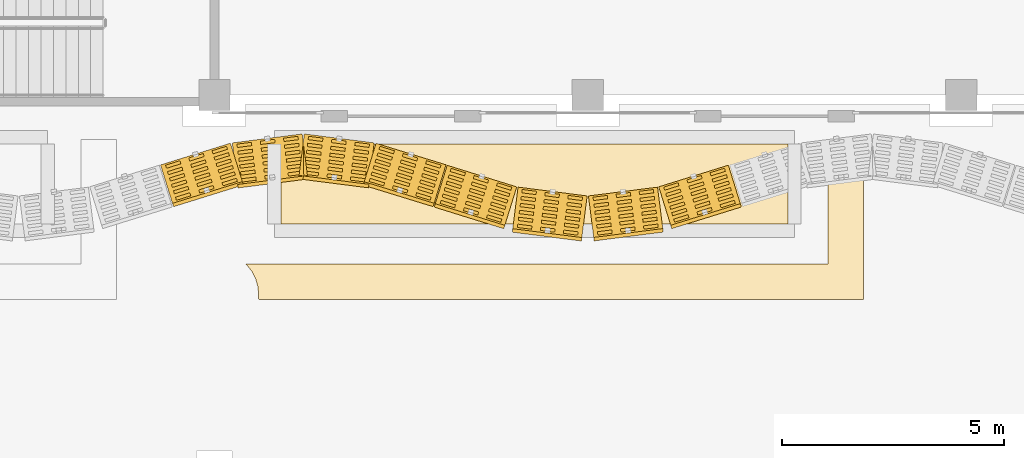
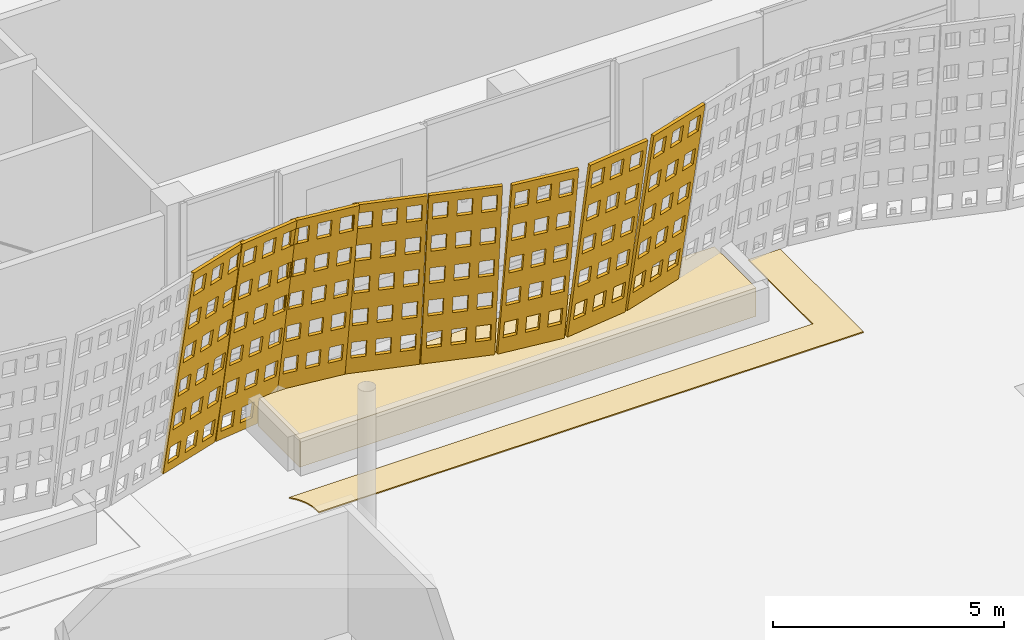
# One storey, part 184 of 210: 10 coverings.
"""IFC4 building model written with IfcOpenShell, lengths in metres."""

from ifc_helpers import new_model, si_unit, direction, frame, origin, origin_2d, place, context, subcontext, project, spatial, polyline, rectangle, outline, extrude, material, layer, layer_set, type_object, element, save


model = new_model("IFC4")

# Units and contexts
model_context = context("Model", 3, precision=1e-05, world=origin(), true_north=direction((0.0, 1.0)))
body_context = subcontext(model_context, "Body", "Model", "MODEL_VIEW")
ifc_project = project(units=[si_unit("LENGTHUNIT", "METRE"), si_unit("AREAUNIT", "SQUARE_METRE"), si_unit("VOLUMEUNIT", "CUBIC_METRE"), si_unit("PLANEANGLEUNIT", "RADIAN"), si_unit("MASSUNIT", "GRAM", prefix="KILO")], contexts=[model_context])

# Site, building, storey
site_placement = place(None, origin())
site = spatial("IfcSite", under=ifc_project, at=site_placement, CompositionType="ELEMENT")
building_placement = place(site_placement, origin())
building = spatial("IfcBuilding", under=site, at=building_placement, Name="Rain Tree Exposition and Congress Centre", CompositionType="ELEMENT")
storey_placement = place(building_placement, origin())
storey = spatial("IfcBuildingStorey", under=building, at=storey_placement, Name="L00", CompositionType="ELEMENT", Elevation=0.0)

# Coverings
ifc_material_1 = material(Name="Granite paving", Category="masonry")
ifc_layer_1 = layer(ifc_material_1, 0.030029296875)
ifc_layer_set_1 = layer_set([ifc_layer_1], Name="Granite paving")
covering_type_1 = type_object("IfcCoveringType", Name="Granite paving inlay 30", PredefinedType="FLOORING", material=ifc_layer_set_1)
covering_1_placement = place(storey_placement, origin())
element("IfcCovering", 1, at=covering_1_placement, inside=storey, type_object=covering_type_1, Name="Granite paving inlay 28", PredefinedType="FLOORING", context=body_context, shape_type="SweptSolid", body=[
    extrude(outline(polyline([(139.800048828125, 71.800048828125), (126.71337890625, 71.800048828125), (126.842041015625, 71.638916015625), (126.930908203125, 71.46435546875), (126.984130859375, 71.275634765625), (127.0, 71.0), (140.60009765625, 71.0), (140.60009765625, 74.60009765625), (139.800048828125, 74.60009765625), (139.800048828125, 71.800048828125)])), origin(), (0.0, 0.0, 1.0), 0.030029296875),
])
ifc_material_2 = material(Name="Planting substrate", Category="soil")
ifc_layer_2 = layer(ifc_material_2, 0.75)
ifc_layer_set_2 = layer_set([ifc_layer_2], Name="Planting substrate")
covering_type_2 = type_object("IfcCoveringType", Name="Planting bed substrate 750", PredefinedType="FLOORING", material=ifc_layer_set_2)
covering_2_placement = place(storey_placement, frame((133.199951171875, 73.60009765625, 0.0), z_axis=(0.0, 0.0, 1.0), x_axis=(1.0, 0.0, 0.0)))
element("IfcCovering", 2, at=covering_2_placement, inside=storey, type_object=covering_type_2, Name="Planting bed", PredefinedType="FLOORING", context=body_context, shape_type="SweptSolid", body=[
    extrude(rectangle(XDim=11.39990234375, YDim=1.800048828125, at=origin_2d()), origin(), (0.0, 0.0, 1.0), 0.75),
])
ifc_material_3 = material(Name="Perforated terracotta", Category="masonry")
ifc_layer_3 = layer(ifc_material_3, 0.080078125)
ifc_layer_set_3 = layer_set([ifc_layer_3], Name="Perforated terracotta")
covering_type_3 = type_object("IfcCoveringType", Name="Terracotta screen 80", PredefinedType="CLADDING", material=ifc_layer_set_3)
covering_3_placement = place(storey_placement, frame((124.800048828125, 73.949951171875, 0.0), z_axis=(-0.293072736571, 0.943327870838, 0.155694891303), x_axis=(-0.954973588716, -0.296690823679, 0.0)))
element("IfcCovering", 3, at=covering_3_placement, inside=storey, type_object=covering_type_3, Name="concourse/screen/L00/079", PredefinedType="CLADDING", context=body_context, shape_type="SweptSolid", body=[
    extrude(outline(polyline([(-0.014892578125, 0.0), (-1.659912109375, 0.0), (-1.659912109375, 5.80859375), (-0.014892578125, 5.80859375), (-0.014892578125, 0.0)]), holes=[polyline([(-0.119140625, 0.249755859375), (-0.119140625, 0.71826171875), (-0.458984375, 0.71826171875), (-0.458984375, 0.249755859375), (-0.119140625, 0.249755859375)]), polyline([(-0.119140625, 1.218017578125), (-0.119140625, 1.686279296875), (-0.458984375, 1.686279296875), (-0.458984375, 1.218017578125), (-0.119140625, 1.218017578125)]), polyline([(-0.119140625, 2.18603515625), (-0.119140625, 2.654541015625), (-0.458984375, 2.654541015625), (-0.458984375, 2.18603515625), (-0.119140625, 2.18603515625)]), polyline([(-0.119140625, 3.154052734375), (-0.119140625, 3.62255859375), (-0.458984375, 3.62255859375), (-0.458984375, 3.154052734375), (-0.119140625, 3.154052734375)]), polyline([(-0.119140625, 4.122314453125), (-0.119140625, 4.5908203125), (-0.458984375, 4.5908203125), (-0.458984375, 4.122314453125), (-0.119140625, 4.122314453125)]), polyline([(-0.119140625, 5.09033203125), (-0.119140625, 5.558837890625), (-0.458984375, 5.558837890625), (-0.458984375, 5.09033203125), (-0.119140625, 5.09033203125)]), polyline([(-0.66748046875, 0.249755859375), (-0.66748046875, 0.71826171875), (-1.00732421875, 0.71826171875), (-1.00732421875, 0.249755859375), (-0.66748046875, 0.249755859375)]), polyline([(-0.66748046875, 1.218017578125), (-0.66748046875, 1.686279296875), (-1.00732421875, 1.686279296875), (-1.00732421875, 1.218017578125), (-0.66748046875, 1.218017578125)]), polyline([(-0.66748046875, 2.18603515625), (-0.66748046875, 2.654541015625), (-1.00732421875, 2.654541015625), (-1.00732421875, 2.18603515625), (-0.66748046875, 2.18603515625)]), polyline([(-0.66748046875, 3.154052734375), (-0.66748046875, 3.62255859375), (-1.00732421875, 3.62255859375), (-1.00732421875, 3.154052734375), (-0.66748046875, 3.154052734375)]), polyline([(-0.66748046875, 4.122314453125), (-0.66748046875, 4.5908203125), (-1.00732421875, 4.5908203125), (-1.00732421875, 4.122314453125), (-0.66748046875, 4.122314453125)]), polyline([(-0.66748046875, 5.09033203125), (-0.66748046875, 5.558837890625), (-1.00732421875, 5.558837890625), (-1.00732421875, 5.09033203125), (-0.66748046875, 5.09033203125)]), polyline([(-1.2158203125, 0.249755859375), (-1.2158203125, 0.71826171875), (-1.5556640625, 0.71826171875), (-1.5556640625, 0.249755859375), (-1.2158203125, 0.249755859375)]), polyline([(-1.2158203125, 1.218017578125), (-1.2158203125, 1.686279296875), (-1.5556640625, 1.686279296875), (-1.5556640625, 1.218017578125), (-1.2158203125, 1.218017578125)]), polyline([(-1.2158203125, 2.18603515625), (-1.2158203125, 2.654541015625), (-1.5556640625, 2.654541015625), (-1.5556640625, 2.18603515625), (-1.2158203125, 2.18603515625)]), polyline([(-1.2158203125, 3.154052734375), (-1.2158203125, 3.62255859375), (-1.5556640625, 3.62255859375), (-1.5556640625, 3.154052734375), (-1.2158203125, 3.154052734375)]), polyline([(-1.2158203125, 4.122314453125), (-1.2158203125, 4.5908203125), (-1.5556640625, 4.5908203125), (-1.5556640625, 4.122314453125), (-1.2158203125, 4.122314453125)]), polyline([(-1.2158203125, 5.09033203125), (-1.2158203125, 5.558837890625), (-1.5556640625, 5.558837890625), (-1.5556640625, 5.09033203125), (-1.2158203125, 5.09033203125)])]), origin(), (0.0, 0.0, 1.0), 0.080078125),
])
covering_4_placement = place(storey_placement, frame((126.39990234375, 74.445068359375, 0.0), z_axis=(-0.125405134464, 0.978771781185, 0.162109076259), x_axis=(-0.991891686382, -0.127086122318, 0.0)))
element("IfcCovering", 4, at=covering_4_placement, inside=storey, type_object=covering_type_3, Name="concourse/screen/L00/080", PredefinedType="CLADDING", context=body_context, shape_type="SweptSolid", body=[
    extrude(outline(polyline([(-0.014892578125, 0.0), (-1.59814453125, 0.0), (-1.59814453125, 5.813720703125), (-0.014892578125, 5.813720703125), (-0.014892578125, 0.0)]), holes=[polyline([(-0.115234375, 0.25), (-0.115234375, 0.718994140625), (-0.4423828125, 0.718994140625), (-0.4423828125, 0.25), (-0.115234375, 0.25)]), polyline([(-0.115234375, 1.218994140625), (-0.115234375, 1.687744140625), (-0.4423828125, 1.687744140625), (-0.4423828125, 1.218994140625), (-0.115234375, 1.218994140625)]), polyline([(-0.115234375, 2.18798828125), (-0.115234375, 2.65673828125), (-0.4423828125, 2.65673828125), (-0.4423828125, 2.18798828125), (-0.115234375, 2.18798828125)]), polyline([(-0.115234375, 3.156982421875), (-0.115234375, 3.625732421875), (-0.4423828125, 3.625732421875), (-0.4423828125, 3.156982421875), (-0.115234375, 3.156982421875)]), polyline([(-0.115234375, 4.125732421875), (-0.115234375, 4.594482421875), (-0.4423828125, 4.594482421875), (-0.4423828125, 4.125732421875), (-0.115234375, 4.125732421875)]), polyline([(-0.115234375, 5.0947265625), (-0.115234375, 5.563720703125), (-0.4423828125, 5.563720703125), (-0.4423828125, 5.0947265625), (-0.115234375, 5.0947265625)]), polyline([(-0.64306640625, 0.25), (-0.64306640625, 0.718994140625), (-0.97021484375, 0.718994140625), (-0.97021484375, 0.25), (-0.64306640625, 0.25)]), polyline([(-0.64306640625, 1.218994140625), (-0.64306640625, 1.687744140625), (-0.97021484375, 1.687744140625), (-0.97021484375, 1.218994140625), (-0.64306640625, 1.218994140625)]), polyline([(-0.64306640625, 2.18798828125), (-0.64306640625, 2.65673828125), (-0.97021484375, 2.65673828125), (-0.97021484375, 2.18798828125), (-0.64306640625, 2.18798828125)]), polyline([(-0.64306640625, 3.156982421875), (-0.64306640625, 3.625732421875), (-0.97021484375, 3.625732421875), (-0.97021484375, 3.156982421875), (-0.64306640625, 3.156982421875)]), polyline([(-0.64306640625, 4.125732421875), (-0.64306640625, 4.594482421875), (-0.97021484375, 4.594482421875), (-0.97021484375, 4.125732421875), (-0.64306640625, 4.125732421875)]), polyline([(-0.64306640625, 5.0947265625), (-0.64306640625, 5.563720703125), (-0.97021484375, 5.563720703125), (-0.97021484375, 5.0947265625), (-0.64306640625, 5.0947265625)]), polyline([(-1.170654296875, 0.25), (-1.170654296875, 0.718994140625), (-1.497802734375, 0.718994140625), (-1.497802734375, 0.25), (-1.170654296875, 0.25)]), polyline([(-1.170654296875, 1.218994140625), (-1.170654296875, 1.687744140625), (-1.497802734375, 1.687744140625), (-1.497802734375, 1.218994140625), (-1.170654296875, 1.218994140625)]), polyline([(-1.170654296875, 2.18798828125), (-1.170654296875, 2.65673828125), (-1.497802734375, 2.65673828125), (-1.497802734375, 2.18798828125), (-1.170654296875, 2.18798828125)]), polyline([(-1.170654296875, 3.156982421875), (-1.170654296875, 3.625732421875), (-1.497802734375, 3.625732421875), (-1.497802734375, 3.156982421875), (-1.170654296875, 3.156982421875)]), polyline([(-1.170654296875, 4.125732421875), (-1.170654296875, 4.594482421875), (-1.497802734375, 4.594482421875), (-1.497802734375, 4.125732421875), (-1.170654296875, 4.125732421875)]), polyline([(-1.170654296875, 5.0947265625), (-1.170654296875, 5.563720703125), (-1.497802734375, 5.563720703125), (-1.497802734375, 5.0947265625), (-1.170654296875, 5.0947265625)])]), origin(), (0.0, 0.0, 1.0), 0.079833984375),
])
covering_5_placement = place(storey_placement, frame((128.0, 74.64990234375, 0.0), z_axis=(0.125030801275, 0.978899688033, 0.161625182136), x_axis=(-0.991941518713, 0.126696580272, 0.0)))
element("IfcCovering", 5, at=covering_5_placement, inside=storey, type_object=covering_type_3, Name="concourse/screen/L00/081", PredefinedType="CLADDING", context=body_context, shape_type="SweptSolid", body=[
    extrude(outline(polyline([(-0.014892578125, 0.0), (-1.59814453125, 0.0), (-1.59814453125, 5.813720703125), (-0.014892578125, 5.813720703125), (-0.014892578125, 0.0)]), holes=[polyline([(-0.115234375, 0.25), (-0.115234375, 0.718994140625), (-0.4423828125, 0.718994140625), (-0.4423828125, 0.25), (-0.115234375, 0.25)]), polyline([(-0.115234375, 1.218994140625), (-0.115234375, 1.687744140625), (-0.4423828125, 1.687744140625), (-0.4423828125, 1.218994140625), (-0.115234375, 1.218994140625)]), polyline([(-0.115234375, 2.18798828125), (-0.115234375, 2.65673828125), (-0.4423828125, 2.65673828125), (-0.4423828125, 2.18798828125), (-0.115234375, 2.18798828125)]), polyline([(-0.115234375, 3.156982421875), (-0.115234375, 3.625732421875), (-0.4423828125, 3.625732421875), (-0.4423828125, 3.156982421875), (-0.115234375, 3.156982421875)]), polyline([(-0.115234375, 4.125732421875), (-0.115234375, 4.594482421875), (-0.4423828125, 4.594482421875), (-0.4423828125, 4.125732421875), (-0.115234375, 4.125732421875)]), polyline([(-0.115234375, 5.0947265625), (-0.115234375, 5.563720703125), (-0.4423828125, 5.563720703125), (-0.4423828125, 5.0947265625), (-0.115234375, 5.0947265625)]), polyline([(-0.64306640625, 0.25), (-0.64306640625, 0.718994140625), (-0.97021484375, 0.718994140625), (-0.97021484375, 0.25), (-0.64306640625, 0.25)]), polyline([(-0.64306640625, 1.218994140625), (-0.64306640625, 1.687744140625), (-0.97021484375, 1.687744140625), (-0.97021484375, 1.218994140625), (-0.64306640625, 1.218994140625)]), polyline([(-0.64306640625, 2.18798828125), (-0.64306640625, 2.65673828125), (-0.97021484375, 2.65673828125), (-0.97021484375, 2.18798828125), (-0.64306640625, 2.18798828125)]), polyline([(-0.64306640625, 3.156982421875), (-0.64306640625, 3.625732421875), (-0.97021484375, 3.625732421875), (-0.97021484375, 3.156982421875), (-0.64306640625, 3.156982421875)]), polyline([(-0.64306640625, 4.125732421875), (-0.64306640625, 4.594482421875), (-0.97021484375, 4.594482421875), (-0.97021484375, 4.125732421875), (-0.64306640625, 4.125732421875)]), polyline([(-0.64306640625, 5.0947265625), (-0.64306640625, 5.563720703125), (-0.97021484375, 5.563720703125), (-0.97021484375, 5.0947265625), (-0.64306640625, 5.0947265625)]), polyline([(-1.170654296875, 0.25), (-1.170654296875, 0.718994140625), (-1.497802734375, 0.718994140625), (-1.497802734375, 0.25), (-1.170654296875, 0.25)]), polyline([(-1.170654296875, 1.218994140625), (-1.170654296875, 1.687744140625), (-1.497802734375, 1.687744140625), (-1.497802734375, 1.218994140625), (-1.170654296875, 1.218994140625)]), polyline([(-1.170654296875, 2.18798828125), (-1.170654296875, 2.65673828125), (-1.497802734375, 2.65673828125), (-1.497802734375, 2.18798828125), (-1.170654296875, 2.18798828125)]), polyline([(-1.170654296875, 3.156982421875), (-1.170654296875, 3.625732421875), (-1.497802734375, 3.625732421875), (-1.497802734375, 3.156982421875), (-1.170654296875, 3.156982421875)]), polyline([(-1.170654296875, 4.125732421875), (-1.170654296875, 4.594482421875), (-1.497802734375, 4.594482421875), (-1.497802734375, 4.125732421875), (-1.170654296875, 4.125732421875)]), polyline([(-1.170654296875, 5.0947265625), (-1.170654296875, 5.563720703125), (-1.497802734375, 5.563720703125), (-1.497802734375, 5.0947265625), (-1.170654296875, 5.0947265625)])]), origin(), (0.0, 0.0, 1.0), 0.080078125),
])
covering_6_placement = place(storey_placement, frame((129.60009765625, 74.445068359375, 0.0), z_axis=(0.290278371326, 0.94416859726, 0.155833651975), x_axis=(-0.955845867297, 0.293868470528, 0.0)))
element("IfcCovering", 6, at=covering_6_placement, inside=storey, type_object=covering_type_3, Name="concourse/screen/L00/082", PredefinedType="CLADDING", context=body_context, shape_type="SweptSolid", body=[
    extrude(outline(polyline([(-0.014892578125, 0.0), (-1.659912109375, 0.0), (-1.659912109375, 5.80859375), (-0.014892578125, 5.80859375), (-0.014892578125, 0.0)]), holes=[polyline([(-0.119140625, 0.249755859375), (-0.119140625, 0.71826171875), (-0.458984375, 0.71826171875), (-0.458984375, 0.249755859375), (-0.119140625, 0.249755859375)]), polyline([(-0.119140625, 1.218017578125), (-0.119140625, 1.686279296875), (-0.458984375, 1.686279296875), (-0.458984375, 1.218017578125), (-0.119140625, 1.218017578125)]), polyline([(-0.119140625, 2.18603515625), (-0.119140625, 2.654541015625), (-0.458984375, 2.654541015625), (-0.458984375, 2.18603515625), (-0.119140625, 2.18603515625)]), polyline([(-0.119140625, 3.154052734375), (-0.119140625, 3.62255859375), (-0.458984375, 3.62255859375), (-0.458984375, 3.154052734375), (-0.119140625, 3.154052734375)]), polyline([(-0.119140625, 4.122314453125), (-0.119140625, 4.5908203125), (-0.458984375, 4.5908203125), (-0.458984375, 4.122314453125), (-0.119140625, 4.122314453125)]), polyline([(-0.119140625, 5.09033203125), (-0.119140625, 5.558837890625), (-0.458984375, 5.558837890625), (-0.458984375, 5.09033203125), (-0.119140625, 5.09033203125)]), polyline([(-0.66748046875, 0.249755859375), (-0.66748046875, 0.71826171875), (-1.00732421875, 0.71826171875), (-1.00732421875, 0.249755859375), (-0.66748046875, 0.249755859375)]), polyline([(-0.66748046875, 1.218017578125), (-0.66748046875, 1.686279296875), (-1.00732421875, 1.686279296875), (-1.00732421875, 1.218017578125), (-0.66748046875, 1.218017578125)]), polyline([(-0.66748046875, 2.18603515625), (-0.66748046875, 2.654541015625), (-1.00732421875, 2.654541015625), (-1.00732421875, 2.18603515625), (-0.66748046875, 2.18603515625)]), polyline([(-0.66748046875, 3.154052734375), (-0.66748046875, 3.62255859375), (-1.00732421875, 3.62255859375), (-1.00732421875, 3.154052734375), (-0.66748046875, 3.154052734375)]), polyline([(-0.66748046875, 4.122314453125), (-0.66748046875, 4.5908203125), (-1.00732421875, 4.5908203125), (-1.00732421875, 4.122314453125), (-0.66748046875, 4.122314453125)]), polyline([(-0.66748046875, 5.09033203125), (-0.66748046875, 5.558837890625), (-1.00732421875, 5.558837890625), (-1.00732421875, 5.09033203125), (-0.66748046875, 5.09033203125)]), polyline([(-1.2158203125, 0.249755859375), (-1.2158203125, 0.71826171875), (-1.5556640625, 0.71826171875), (-1.5556640625, 0.249755859375), (-1.2158203125, 0.249755859375)]), polyline([(-1.2158203125, 1.218017578125), (-1.2158203125, 1.686279296875), (-1.5556640625, 1.686279296875), (-1.5556640625, 1.218017578125), (-1.2158203125, 1.218017578125)]), polyline([(-1.2158203125, 2.18603515625), (-1.2158203125, 2.654541015625), (-1.5556640625, 2.654541015625), (-1.5556640625, 2.18603515625), (-1.2158203125, 2.18603515625)]), polyline([(-1.2158203125, 3.154052734375), (-1.2158203125, 3.62255859375), (-1.5556640625, 3.62255859375), (-1.5556640625, 3.154052734375), (-1.2158203125, 3.154052734375)]), polyline([(-1.2158203125, 4.122314453125), (-1.2158203125, 4.5908203125), (-1.5556640625, 4.5908203125), (-1.5556640625, 4.122314453125), (-1.2158203125, 4.122314453125)]), polyline([(-1.2158203125, 5.09033203125), (-1.2158203125, 5.558837890625), (-1.5556640625, 5.558837890625), (-1.5556640625, 5.09033203125), (-1.2158203125, 5.09033203125)])]), origin(), (0.0, 0.0, 1.0), 0.079833984375),
])
covering_7_placement = place(storey_placement, frame((131.199951171875, 73.949951171875, 0.0), z_axis=(0.293072736571, 0.943327870838, 0.155694891303), x_axis=(-0.954973588716, 0.296690823679, 0.0)))
element("IfcCovering", 7, at=covering_7_placement, inside=storey, type_object=covering_type_3, Name="concourse/screen/L00/083", PredefinedType="CLADDING", context=body_context, shape_type="SweptSolid", body=[
    extrude(outline(polyline([(-0.014892578125, 0.0), (-1.65283203125, 0.0), (-1.65283203125, 5.80859375), (-0.014892578125, 5.80859375), (-0.014892578125, 0.0)]), holes=[polyline([(-0.11865234375, 0.249755859375), (-0.11865234375, 0.71826171875), (-0.457275390625, 0.71826171875), (-0.457275390625, 0.249755859375), (-0.11865234375, 0.249755859375)]), polyline([(-0.11865234375, 1.218017578125), (-0.11865234375, 1.686279296875), (-0.457275390625, 1.686279296875), (-0.457275390625, 1.218017578125), (-0.11865234375, 1.218017578125)]), polyline([(-0.11865234375, 2.18603515625), (-0.11865234375, 2.654541015625), (-0.457275390625, 2.654541015625), (-0.457275390625, 2.18603515625), (-0.11865234375, 2.18603515625)]), polyline([(-0.11865234375, 3.154052734375), (-0.11865234375, 3.62255859375), (-0.457275390625, 3.62255859375), (-0.457275390625, 3.154052734375), (-0.11865234375, 3.154052734375)]), polyline([(-0.11865234375, 4.122314453125), (-0.11865234375, 4.5908203125), (-0.457275390625, 4.5908203125), (-0.457275390625, 4.122314453125), (-0.11865234375, 4.122314453125)]), polyline([(-0.11865234375, 5.09033203125), (-0.11865234375, 5.558837890625), (-0.457275390625, 5.558837890625), (-0.457275390625, 5.09033203125), (-0.11865234375, 5.09033203125)]), polyline([(-0.664794921875, 0.249755859375), (-0.664794921875, 0.71826171875), (-1.003173828125, 0.71826171875), (-1.003173828125, 0.249755859375), (-0.664794921875, 0.249755859375)]), polyline([(-0.664794921875, 1.218017578125), (-0.664794921875, 1.686279296875), (-1.003173828125, 1.686279296875), (-1.003173828125, 1.218017578125), (-0.664794921875, 1.218017578125)]), polyline([(-0.664794921875, 2.18603515625), (-0.664794921875, 2.654541015625), (-1.003173828125, 2.654541015625), (-1.003173828125, 2.18603515625), (-0.664794921875, 2.18603515625)]), polyline([(-0.664794921875, 3.154052734375), (-0.664794921875, 3.62255859375), (-1.003173828125, 3.62255859375), (-1.003173828125, 3.154052734375), (-0.664794921875, 3.154052734375)]), polyline([(-0.664794921875, 4.122314453125), (-0.664794921875, 4.5908203125), (-1.003173828125, 4.5908203125), (-1.003173828125, 4.122314453125), (-0.664794921875, 4.122314453125)]), polyline([(-0.664794921875, 5.09033203125), (-0.664794921875, 5.558837890625), (-1.003173828125, 5.558837890625), (-1.003173828125, 5.09033203125), (-0.664794921875, 5.09033203125)]), polyline([(-1.210693359375, 0.249755859375), (-1.210693359375, 0.71826171875), (-1.54931640625, 0.71826171875), (-1.54931640625, 0.249755859375), (-1.210693359375, 0.249755859375)]), polyline([(-1.210693359375, 1.218017578125), (-1.210693359375, 1.686279296875), (-1.54931640625, 1.686279296875), (-1.54931640625, 1.218017578125), (-1.210693359375, 1.218017578125)]), polyline([(-1.210693359375, 2.18603515625), (-1.210693359375, 2.654541015625), (-1.54931640625, 2.654541015625), (-1.54931640625, 2.18603515625), (-1.210693359375, 2.18603515625)]), polyline([(-1.210693359375, 3.154052734375), (-1.210693359375, 3.62255859375), (-1.54931640625, 3.62255859375), (-1.54931640625, 3.154052734375), (-1.210693359375, 3.154052734375)]), polyline([(-1.210693359375, 4.122314453125), (-1.210693359375, 4.5908203125), (-1.54931640625, 4.5908203125), (-1.54931640625, 4.122314453125), (-1.210693359375, 4.122314453125)]), polyline([(-1.210693359375, 5.09033203125), (-1.210693359375, 5.558837890625), (-1.54931640625, 5.558837890625), (-1.54931640625, 5.09033203125), (-1.210693359375, 5.09033203125)])]), origin(), (0.0, 0.0, 1.0), 0.080078125),
])
covering_8_placement = place(storey_placement, frame((132.800048828125, 73.455078125, 0.0), z_axis=(0.125405134464, 0.978771781185, 0.162109076259), x_axis=(-0.991891686382, 0.127086122318, 0.0)))
element("IfcCovering", 8, at=covering_8_placement, inside=storey, type_object=covering_type_3, Name="concourse/screen/L00/084", PredefinedType="CLADDING", context=body_context, shape_type="SweptSolid", body=[
    extrude(outline(polyline([(-0.02197265625, 0.0), (-1.587890625, 0.0), (-1.587890625, 5.813720703125), (-0.02197265625, 5.813720703125), (-0.02197265625, 0.0)]), holes=[polyline([(-0.12109375, 0.25), (-0.12109375, 0.718994140625), (-0.444580078125, 0.718994140625), (-0.444580078125, 0.25), (-0.12109375, 0.25)]), polyline([(-0.12109375, 1.218994140625), (-0.12109375, 1.687744140625), (-0.444580078125, 1.687744140625), (-0.444580078125, 1.218994140625), (-0.12109375, 1.218994140625)]), polyline([(-0.12109375, 2.18798828125), (-0.12109375, 2.65673828125), (-0.444580078125, 2.65673828125), (-0.444580078125, 2.18798828125), (-0.12109375, 2.18798828125)]), polyline([(-0.12109375, 3.156982421875), (-0.12109375, 3.625732421875), (-0.444580078125, 3.625732421875), (-0.444580078125, 3.156982421875), (-0.12109375, 3.156982421875)]), polyline([(-0.12109375, 4.125732421875), (-0.12109375, 4.594482421875), (-0.444580078125, 4.594482421875), (-0.444580078125, 4.125732421875), (-0.12109375, 4.125732421875)]), polyline([(-0.12109375, 5.0947265625), (-0.12109375, 5.563720703125), (-0.444580078125, 5.563720703125), (-0.444580078125, 5.0947265625), (-0.12109375, 5.0947265625)]), polyline([(-0.64306640625, 0.25), (-0.64306640625, 0.718994140625), (-0.966796875, 0.718994140625), (-0.966796875, 0.25), (-0.64306640625, 0.25)]), polyline([(-0.64306640625, 1.218994140625), (-0.64306640625, 1.687744140625), (-0.966796875, 1.687744140625), (-0.966796875, 1.218994140625), (-0.64306640625, 1.218994140625)]), polyline([(-0.64306640625, 2.18798828125), (-0.64306640625, 2.65673828125), (-0.966796875, 2.65673828125), (-0.966796875, 2.18798828125), (-0.64306640625, 2.18798828125)]), polyline([(-0.64306640625, 3.156982421875), (-0.64306640625, 3.625732421875), (-0.966796875, 3.625732421875), (-0.966796875, 3.156982421875), (-0.64306640625, 3.156982421875)]), polyline([(-0.64306640625, 4.125732421875), (-0.64306640625, 4.594482421875), (-0.966796875, 4.594482421875), (-0.966796875, 4.125732421875), (-0.64306640625, 4.125732421875)]), polyline([(-0.64306640625, 5.0947265625), (-0.64306640625, 5.563720703125), (-0.966796875, 5.563720703125), (-0.966796875, 5.0947265625), (-0.64306640625, 5.0947265625)]), polyline([(-1.1650390625, 0.25), (-1.1650390625, 0.718994140625), (-1.48876953125, 0.718994140625), (-1.48876953125, 0.25), (-1.1650390625, 0.25)]), polyline([(-1.1650390625, 1.218994140625), (-1.1650390625, 1.687744140625), (-1.48876953125, 1.687744140625), (-1.48876953125, 1.218994140625), (-1.1650390625, 1.218994140625)]), polyline([(-1.1650390625, 2.18798828125), (-1.1650390625, 2.65673828125), (-1.48876953125, 2.65673828125), (-1.48876953125, 2.18798828125), (-1.1650390625, 2.18798828125)]), polyline([(-1.1650390625, 3.156982421875), (-1.1650390625, 3.625732421875), (-1.48876953125, 3.625732421875), (-1.48876953125, 3.156982421875), (-1.1650390625, 3.156982421875)]), polyline([(-1.1650390625, 4.125732421875), (-1.1650390625, 4.594482421875), (-1.48876953125, 4.594482421875), (-1.48876953125, 4.125732421875), (-1.1650390625, 4.125732421875)]), polyline([(-1.1650390625, 5.0947265625), (-1.1650390625, 5.563720703125), (-1.48876953125, 5.563720703125), (-1.48876953125, 5.0947265625), (-1.1650390625, 5.0947265625)])]), origin(), (0.0, 0.0, 1.0), 0.079833984375),
])
covering_9_placement = place(storey_placement, frame((134.39990234375, 73.25, 0.0), z_axis=(-0.125030801275, 0.978899688033, 0.161625182136), x_axis=(-0.991941518713, -0.126696580272, 0.0)))
element("IfcCovering", 9, at=covering_9_placement, inside=storey, type_object=covering_type_3, Name="concourse/screen/L00/085", PredefinedType="CLADDING", context=body_context, shape_type="SweptSolid", body=[
    extrude(outline(polyline([(-0.025146484375, 0.0), (-1.59130859375, 0.0), (-1.59130859375, 5.813720703125), (-0.025146484375, 5.813720703125), (-0.025146484375, 0.0)]), holes=[polyline([(-0.12451171875, 0.25), (-0.12451171875, 0.718994140625), (-0.447998046875, 0.718994140625), (-0.447998046875, 0.25), (-0.12451171875, 0.25)]), polyline([(-0.12451171875, 1.218994140625), (-0.12451171875, 1.687744140625), (-0.447998046875, 1.687744140625), (-0.447998046875, 1.218994140625), (-0.12451171875, 1.218994140625)]), polyline([(-0.12451171875, 2.18798828125), (-0.12451171875, 2.65673828125), (-0.447998046875, 2.65673828125), (-0.447998046875, 2.18798828125), (-0.12451171875, 2.18798828125)]), polyline([(-0.12451171875, 3.156982421875), (-0.12451171875, 3.625732421875), (-0.447998046875, 3.625732421875), (-0.447998046875, 3.156982421875), (-0.12451171875, 3.156982421875)]), polyline([(-0.12451171875, 4.125732421875), (-0.12451171875, 4.594482421875), (-0.447998046875, 4.594482421875), (-0.447998046875, 4.125732421875), (-0.12451171875, 4.125732421875)]), polyline([(-0.12451171875, 5.0947265625), (-0.12451171875, 5.563720703125), (-0.447998046875, 5.563720703125), (-0.447998046875, 5.0947265625), (-0.12451171875, 5.0947265625)]), polyline([(-0.646484375, 0.25), (-0.646484375, 0.718994140625), (-0.969970703125, 0.718994140625), (-0.969970703125, 0.25), (-0.646484375, 0.25)]), polyline([(-0.646484375, 1.218994140625), (-0.646484375, 1.687744140625), (-0.969970703125, 1.687744140625), (-0.969970703125, 1.218994140625), (-0.646484375, 1.218994140625)]), polyline([(-0.646484375, 2.18798828125), (-0.646484375, 2.65673828125), (-0.969970703125, 2.65673828125), (-0.969970703125, 2.18798828125), (-0.646484375, 2.18798828125)]), polyline([(-0.646484375, 3.156982421875), (-0.646484375, 3.625732421875), (-0.969970703125, 3.625732421875), (-0.969970703125, 3.156982421875), (-0.646484375, 3.156982421875)]), polyline([(-0.646484375, 4.125732421875), (-0.646484375, 4.594482421875), (-0.969970703125, 4.594482421875), (-0.969970703125, 4.125732421875), (-0.646484375, 4.125732421875)]), polyline([(-0.646484375, 5.0947265625), (-0.646484375, 5.563720703125), (-0.969970703125, 5.563720703125), (-0.969970703125, 5.0947265625), (-0.646484375, 5.0947265625)]), polyline([(-1.16845703125, 0.25), (-1.16845703125, 0.718994140625), (-1.491943359375, 0.718994140625), (-1.491943359375, 0.25), (-1.16845703125, 0.25)]), polyline([(-1.16845703125, 1.218994140625), (-1.16845703125, 1.687744140625), (-1.491943359375, 1.687744140625), (-1.491943359375, 1.218994140625), (-1.16845703125, 1.218994140625)]), polyline([(-1.16845703125, 2.18798828125), (-1.16845703125, 2.65673828125), (-1.491943359375, 2.65673828125), (-1.491943359375, 2.18798828125), (-1.16845703125, 2.18798828125)]), polyline([(-1.16845703125, 3.156982421875), (-1.16845703125, 3.625732421875), (-1.491943359375, 3.625732421875), (-1.491943359375, 3.156982421875), (-1.16845703125, 3.156982421875)]), polyline([(-1.16845703125, 4.125732421875), (-1.16845703125, 4.594482421875), (-1.491943359375, 4.594482421875), (-1.491943359375, 4.125732421875), (-1.16845703125, 4.125732421875)]), polyline([(-1.16845703125, 5.0947265625), (-1.16845703125, 5.563720703125), (-1.491943359375, 5.563720703125), (-1.491943359375, 5.0947265625), (-1.16845703125, 5.0947265625)])]), origin(), (0.0, 0.0, 1.0), 0.080078125),
])
covering_10_placement = place(storey_placement, frame((136.0, 73.455078125, 0.0), z_axis=(-0.293072736571, 0.943327870838, 0.155694891303), x_axis=(-0.954973588716, -0.296690823679, 0.0)))
element("IfcCovering", 10, at=covering_10_placement, inside=storey, type_object=covering_type_3, Name="concourse/screen/L00/086", PredefinedType="CLADDING", context=body_context, shape_type="SweptSolid", body=[
    extrude(outline(polyline([(-0.02197265625, 0.0), (-1.659912109375, 0.0), (-1.659912109375, 5.80859375), (-0.02197265625, 5.80859375), (-0.02197265625, 0.0)]), holes=[polyline([(-0.125732421875, 0.249755859375), (-0.125732421875, 0.71826171875), (-0.464111328125, 0.71826171875), (-0.464111328125, 0.249755859375), (-0.125732421875, 0.249755859375)]), polyline([(-0.125732421875, 1.218017578125), (-0.125732421875, 1.686279296875), (-0.464111328125, 1.686279296875), (-0.464111328125, 1.218017578125), (-0.125732421875, 1.218017578125)]), polyline([(-0.125732421875, 2.18603515625), (-0.125732421875, 2.654541015625), (-0.464111328125, 2.654541015625), (-0.464111328125, 2.18603515625), (-0.125732421875, 2.18603515625)]), polyline([(-0.125732421875, 3.154052734375), (-0.125732421875, 3.62255859375), (-0.464111328125, 3.62255859375), (-0.464111328125, 3.154052734375), (-0.125732421875, 3.154052734375)]), polyline([(-0.125732421875, 4.122314453125), (-0.125732421875, 4.5908203125), (-0.464111328125, 4.5908203125), (-0.464111328125, 4.122314453125), (-0.125732421875, 4.122314453125)]), polyline([(-0.125732421875, 5.09033203125), (-0.125732421875, 5.558837890625), (-0.464111328125, 5.558837890625), (-0.464111328125, 5.09033203125), (-0.125732421875, 5.09033203125)]), polyline([(-0.671630859375, 0.249755859375), (-0.671630859375, 0.71826171875), (-1.010009765625, 0.71826171875), (-1.010009765625, 0.249755859375), (-0.671630859375, 0.249755859375)]), polyline([(-0.671630859375, 1.218017578125), (-0.671630859375, 1.686279296875), (-1.010009765625, 1.686279296875), (-1.010009765625, 1.218017578125), (-0.671630859375, 1.218017578125)]), polyline([(-0.671630859375, 2.18603515625), (-0.671630859375, 2.654541015625), (-1.010009765625, 2.654541015625), (-1.010009765625, 2.18603515625), (-0.671630859375, 2.18603515625)]), polyline([(-0.671630859375, 3.154052734375), (-0.671630859375, 3.62255859375), (-1.010009765625, 3.62255859375), (-1.010009765625, 3.154052734375), (-0.671630859375, 3.154052734375)]), polyline([(-0.671630859375, 4.122314453125), (-0.671630859375, 4.5908203125), (-1.010009765625, 4.5908203125), (-1.010009765625, 4.122314453125), (-0.671630859375, 4.122314453125)]), polyline([(-0.671630859375, 5.09033203125), (-0.671630859375, 5.558837890625), (-1.010009765625, 5.558837890625), (-1.010009765625, 5.09033203125), (-0.671630859375, 5.09033203125)]), polyline([(-1.217529296875, 0.249755859375), (-1.217529296875, 0.71826171875), (-1.55615234375, 0.71826171875), (-1.55615234375, 0.249755859375), (-1.217529296875, 0.249755859375)]), polyline([(-1.217529296875, 1.218017578125), (-1.217529296875, 1.686279296875), (-1.55615234375, 1.686279296875), (-1.55615234375, 1.218017578125), (-1.217529296875, 1.218017578125)]), polyline([(-1.217529296875, 2.18603515625), (-1.217529296875, 2.654541015625), (-1.55615234375, 2.654541015625), (-1.55615234375, 2.18603515625), (-1.217529296875, 2.18603515625)]), polyline([(-1.217529296875, 3.154052734375), (-1.217529296875, 3.62255859375), (-1.55615234375, 3.62255859375), (-1.55615234375, 3.154052734375), (-1.217529296875, 3.154052734375)]), polyline([(-1.217529296875, 4.122314453125), (-1.217529296875, 4.5908203125), (-1.55615234375, 4.5908203125), (-1.55615234375, 4.122314453125), (-1.217529296875, 4.122314453125)]), polyline([(-1.217529296875, 5.09033203125), (-1.217529296875, 5.558837890625), (-1.55615234375, 5.558837890625), (-1.55615234375, 5.09033203125), (-1.217529296875, 5.09033203125)])]), origin(), (0.0, 0.0, 1.0), 0.080078125),
])

save(model, "model.ifc")
